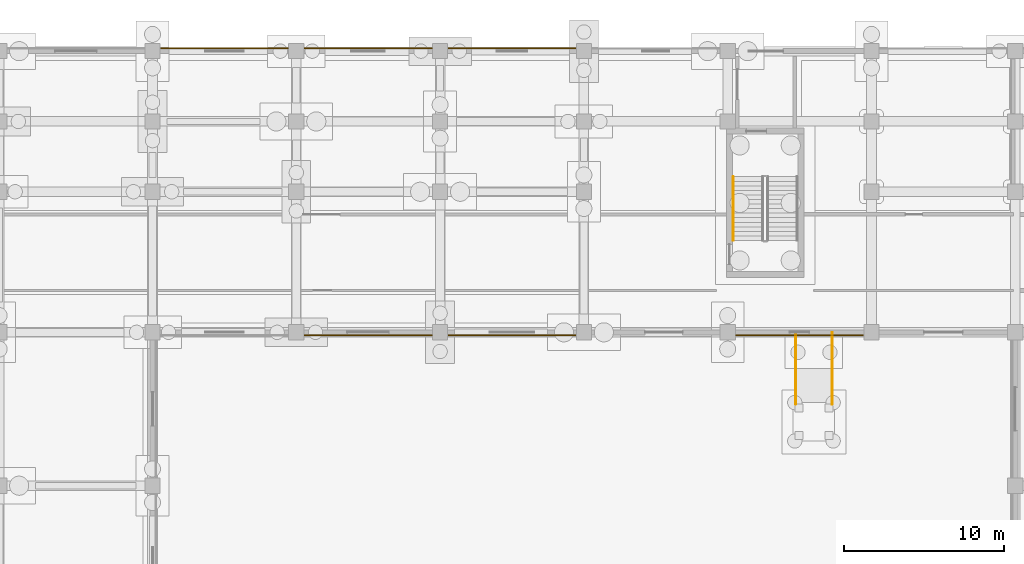
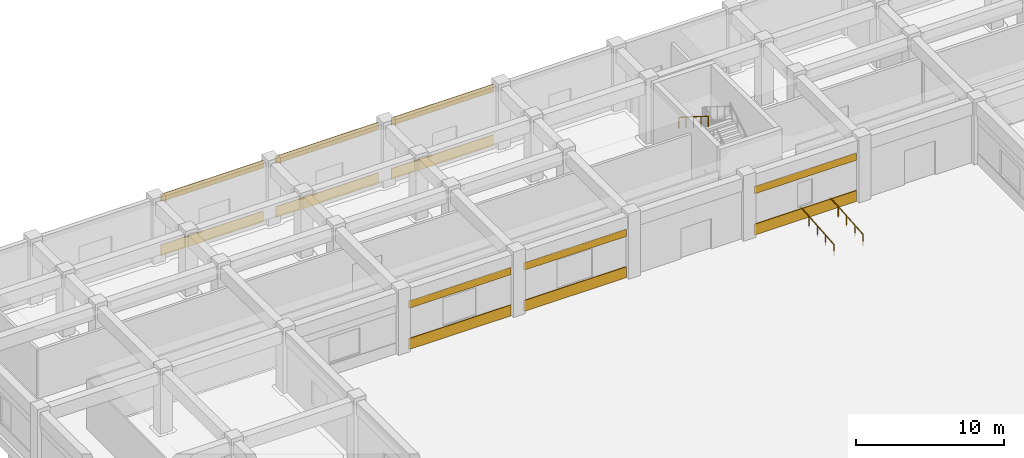
# One storey, part 66 of 74: 12 coverings, 3 railings.
"""IFC4 building model written with IfcOpenShell, lengths in metres."""

from ifc_helpers import new_model, si_unit, direction, frame, origin, origin_2d, place, context, subcontext, project, spatial, rectangle, circle, extrude, material, layer, layer_set, type_object, element, save


model = new_model("IFC4")

# Units and contexts
model_context = context("Model", 3, precision=1e-05, world=origin(), true_north=direction((0.0, 1.0)))
body_context = subcontext(model_context, "Body", "Model", "MODEL_VIEW")
ifc_project = project(units=[si_unit("LENGTHUNIT", "METRE"), si_unit("AREAUNIT", "SQUARE_METRE"), si_unit("VOLUMEUNIT", "CUBIC_METRE"), si_unit("PLANEANGLEUNIT", "RADIAN"), si_unit("MASSUNIT", "GRAM", prefix="KILO")], contexts=[model_context])

# Site, building, storey
site_placement = place(None, origin())
site = spatial("IfcSite", under=ifc_project, at=site_placement, CompositionType="ELEMENT")
building_placement = place(site_placement, origin())
building = spatial("IfcBuilding", under=site, at=building_placement, Name="Cendralis Terraced Arcade", CompositionType="ELEMENT")
storey_placement = place(building_placement, origin())
storey = spatial("IfcBuildingStorey", under=building, at=storey_placement, Name="L00", CompositionType="ELEMENT", Elevation=0.0)

# Coverings
ifc_material_1 = material(Name="Precast concrete f'c 40 MPa", Category="concrete")
ifc_layer = layer(ifc_material_1, 0.06494140625, Name="COV-CLAD-GRC-65")
ifc_layer_set = layer_set([ifc_layer], Name="Precast concrete f'c 40 MPa")
covering_type = type_object("IfcCoveringType", Name="COV-CLAD-GRC-65", PredefinedType="CLADDING", material=ifc_layer_set)
covering_1_placement = place(storey_placement, frame((71.699951171875, 116.18994140625, 0.0), z_axis=(0.0, 0.0, 1.0), x_axis=(1.0, 0.0, 0.0)))
element("IfcCovering", 1, at=covering_1_placement, inside=storey, type_object=covering_type, Name="Banded Precast Stone Spandrel Cladding L00-041", PredefinedType="CLADDING", context=body_context, shape_type="SweptSolid", body=[
    extrude(rectangle(XDim=7.993896484375, YDim=0.06494140625, at=origin_2d()), origin(), (0.0, 0.0, 1.0), 0.89990234375),
])
covering_2_placement = place(storey_placement, frame((71.699951171875, 116.18994140625, 4.469970703125), z_axis=(0.0, 0.0, 1.0), x_axis=(1.0, 0.0, 0.0)))
element("IfcCovering", 2, at=covering_2_placement, inside=storey, type_object=covering_type, Name="Banded Precast Stone Lintel Cladding L00-042", PredefinedType="CLADDING", context=body_context, shape_type="SweptSolid", body=[
    extrude(rectangle(XDim=7.993896484375, YDim=0.06494140625, at=origin_2d()), origin(), (0.0, 0.0, 1.0), 0.60009765625),
])
covering_3_placement = place(storey_placement, frame((80.699951171875, 116.18994140625, 0.0), z_axis=(0.0, 0.0, 1.0), x_axis=(1.0, 0.0, 0.0)))
element("IfcCovering", 3, at=covering_3_placement, inside=storey, type_object=covering_type, Name="Banded Precast Stone Spandrel Cladding L00-043", PredefinedType="CLADDING", context=body_context, shape_type="SweptSolid", body=[
    extrude(rectangle(XDim=7.993896484375, YDim=0.06494140625, at=origin_2d()), origin(), (0.0, 0.0, 1.0), 0.89990234375),
])
covering_4_placement = place(storey_placement, frame((80.699951171875, 116.18994140625, 4.469970703125), z_axis=(0.0, 0.0, 1.0), x_axis=(1.0, 0.0, 0.0)))
element("IfcCovering", 4, at=covering_4_placement, inside=storey, type_object=covering_type, Name="Banded Precast Stone Lintel Cladding L00-044", PredefinedType="CLADDING", context=body_context, shape_type="SweptSolid", body=[
    extrude(rectangle(XDim=7.993896484375, YDim=0.06494140625, at=origin_2d()), origin(), (0.0, 0.0, 1.0), 0.60009765625),
])
covering_5_placement = place(storey_placement, frame((89.699951171875, 116.18994140625, 0.0), z_axis=(0.0, 0.0, 1.0), x_axis=(1.0, 0.0, 0.0)))
element("IfcCovering", 5, at=covering_5_placement, inside=storey, type_object=covering_type, Name="Banded Precast Stone Spandrel Cladding L00-045", PredefinedType="CLADDING", context=body_context, shape_type="SweptSolid", body=[
    extrude(rectangle(XDim=7.993896484375, YDim=0.06494140625, at=origin_2d()), origin(), (0.0, 0.0, 1.0), 0.89990234375),
])
covering_6_placement = place(storey_placement, frame((89.699951171875, 116.18994140625, 4.469970703125), z_axis=(0.0, 0.0, 1.0), x_axis=(1.0, 0.0, 0.0)))
element("IfcCovering", 6, at=covering_6_placement, inside=storey, type_object=covering_type, Name="Banded Precast Stone Lintel Cladding L00-046", PredefinedType="CLADDING", context=body_context, shape_type="SweptSolid", body=[
    extrude(rectangle(XDim=7.993896484375, YDim=0.06494140625, at=origin_2d()), origin(), (0.0, 0.0, 1.0), 0.60009765625),
])
covering_7_placement = place(storey_placement, frame((107.699951171875, 98.2099609375, 0.0), z_axis=(0.0, 0.0, 1.0), x_axis=(-1.0, 0.0, 0.0)))
element("IfcCovering", 7, at=covering_7_placement, inside=storey, type_object=covering_type, Name="Banded Precast Stone Spandrel Cladding L00-075", PredefinedType="CLADDING", context=body_context, shape_type="SweptSolid", body=[
    extrude(rectangle(XDim=7.993896484375, YDim=0.06494140625, at=origin_2d()), origin(), (0.0, 0.0, 1.0), 0.89990234375),
])
covering_8_placement = place(storey_placement, frame((107.699951171875, 98.2099609375, 3.409912109375), z_axis=(0.0, 0.0, 1.0), x_axis=(-1.0, 0.0, 0.0)))
element("IfcCovering", 8, at=covering_8_placement, inside=storey, type_object=covering_type, Name="Banded Precast Stone Lintel Cladding L00-076", PredefinedType="CLADDING", context=body_context, shape_type="SweptSolid", body=[
    extrude(rectangle(XDim=7.993896484375, YDim=0.06494140625, at=origin_2d()), origin(), (0.0, 0.0, 1.0), 0.60009765625),
])
covering_9_placement = place(storey_placement, frame((89.699951171875, 98.2099609375, 0.0), z_axis=(0.0, 0.0, 1.0), x_axis=(-1.0, 0.0, 0.0)))
element("IfcCovering", 9, at=covering_9_placement, inside=storey, type_object=covering_type, Name="Banded Precast Stone Spandrel Cladding L00-077", PredefinedType="CLADDING", context=body_context, shape_type="SweptSolid", body=[
    extrude(rectangle(XDim=7.993896484375, YDim=0.06494140625, at=origin_2d()), origin(), (0.0, 0.0, 1.0), 0.89990234375),
])
covering_10_placement = place(storey_placement, frame((89.699951171875, 98.2099609375, 3.409912109375), z_axis=(0.0, 0.0, 1.0), x_axis=(-1.0, 0.0, 0.0)))
element("IfcCovering", 10, at=covering_10_placement, inside=storey, type_object=covering_type, Name="Banded Precast Stone Lintel Cladding L00-078", PredefinedType="CLADDING", context=body_context, shape_type="SweptSolid", body=[
    extrude(rectangle(XDim=7.993896484375, YDim=0.06494140625, at=origin_2d()), origin(), (0.0, 0.0, 1.0), 0.60009765625),
])
covering_11_placement = place(storey_placement, frame((80.699951171875, 98.2099609375, 0.0), z_axis=(0.0, 0.0, 1.0), x_axis=(-1.0, 0.0, 0.0)))
element("IfcCovering", 11, at=covering_11_placement, inside=storey, type_object=covering_type, Name="Banded Precast Stone Spandrel Cladding L00-079", PredefinedType="CLADDING", context=body_context, shape_type="SweptSolid", body=[
    extrude(rectangle(XDim=7.993896484375, YDim=0.06494140625, at=origin_2d()), origin(), (0.0, 0.0, 1.0), 0.89990234375),
])
covering_12_placement = place(storey_placement, frame((80.699951171875, 98.2099609375, 3.409912109375), z_axis=(0.0, 0.0, 1.0), x_axis=(-1.0, 0.0, 0.0)))
element("IfcCovering", 12, at=covering_12_placement, inside=storey, type_object=covering_type, Name="Banded Precast Stone Lintel Cladding L00-080", PredefinedType="CLADDING", context=body_context, shape_type="SweptSolid", body=[
    extrude(rectangle(XDim=7.993896484375, YDim=0.06494140625, at=origin_2d()), origin(), (0.0, 0.0, 1.0), 0.60009765625),
])

# Railings
ifc_material_2 = material(Name="Brushed stainless steel AISI 316", Category="steel")
railing_type_1 = type_object("IfcRailingType", Name="RL-RAMP-HAND-915", PredefinedType="HANDRAIL", material=ifc_material_2)
for number, where, name in (
    (13, (107.4599609375, 93.89990234375, -0.360107421875), "Accessible Pedestrian Ramp Handrail RMP-05-1"),
    (14, (109.739990234375, 93.89990234375, -0.360107421875), "Accessible Pedestrian Ramp Handrail RMP-05-2"),
):
    element("IfcRailing", number, at=place(storey_placement, frame(where)), inside=storey, type_object=railing_type_1, Name=name, PredefinedType="HANDRAIL", context=body_context, shape_type="SweptSolid", body=[
        extrude(circle(Radius=0.02392578125, at=origin_2d()), frame((0.0, 0.0, 0.89111328125), z_axis=(0.0, 0.996813386725, 0.079768866396), x_axis=(-1.0, 0.0, 0.0)), (0.0, 0.0, 1.0), 4.514404296875),
        extrude(circle(Radius=0.02099609375, at=origin_2d()), origin(), (0.0, 0.0, 1.0), 0.866943359375),
        extrude(circle(Radius=0.02099609375, at=origin_2d()), frame((0.0, 1.125, 0.090087890625)), (0.0, 0.0, 1.0), 0.866943359375),
        extrude(circle(Radius=0.02099609375, at=origin_2d()), frame((0.0, 2.25, 0.18017578125)), (0.0, 0.0, 1.0), 0.866943359375),
        extrude(circle(Radius=0.02099609375, at=origin_2d()), frame((0.0, 3.375, 0.27001953125)), (0.0, 0.0, 1.0), 0.866943359375),
        extrude(circle(Radius=0.02099609375, at=origin_2d()), frame((0.0, 4.5, 0.360107421875)), (0.0, 0.0, 1.0), 0.866943359375),
    ])
railing_type_2 = type_object("IfcRailingType", Name="RL-STAIR-HAND-900", PredefinedType="HANDRAIL", material=ifc_material_2)
railing_placement = place(storey_placement, frame((103.550048828125, 108.139892578125, 2.8798828125)))
element("IfcRailing", 15, at=railing_placement, inside=storey, type_object=railing_type_2, Name="L00 ST-10 stair handrail 2", PredefinedType="HANDRAIL", context=body_context, shape_type="SweptSolid", body=[
    extrude(circle(Radius=0.02392578125, at=origin_2d()), frame((0.0, 0.0, 0.8759765625), z_axis=(0.0, -0.845486444383, 0.533996884227), x_axis=(1.0, 0.0, 0.0)), (0.0, 0.0, 1.0), 4.71923828125),
    extrude(circle(Radius=0.02099609375, at=origin_2d()), origin(), (0.0, 0.0, 1.0), 0.851806640625),
    extrude(circle(Radius=0.02099609375, at=origin_2d()), frame((0.0, -0.99755859375, 0.6298828125)), (0.0, 0.0, 1.0), 0.851806640625),
    extrude(circle(Radius=0.02099609375, at=origin_2d()), frame((0.0, -1.9951171875, 1.260009765625)), (0.0, 0.0, 1.0), 0.851806640625),
    extrude(circle(Radius=0.02099609375, at=origin_2d()), frame((0.0, -2.992431640625, 1.89013671875)), (0.0, 0.0, 1.0), 0.851806640625),
    extrude(circle(Radius=0.02099609375, at=origin_2d()), frame((0.0, -3.989990234375, 2.52001953125)), (0.0, 0.0, 1.0), 0.851806640625),
])

save(model, "model.ifc")
